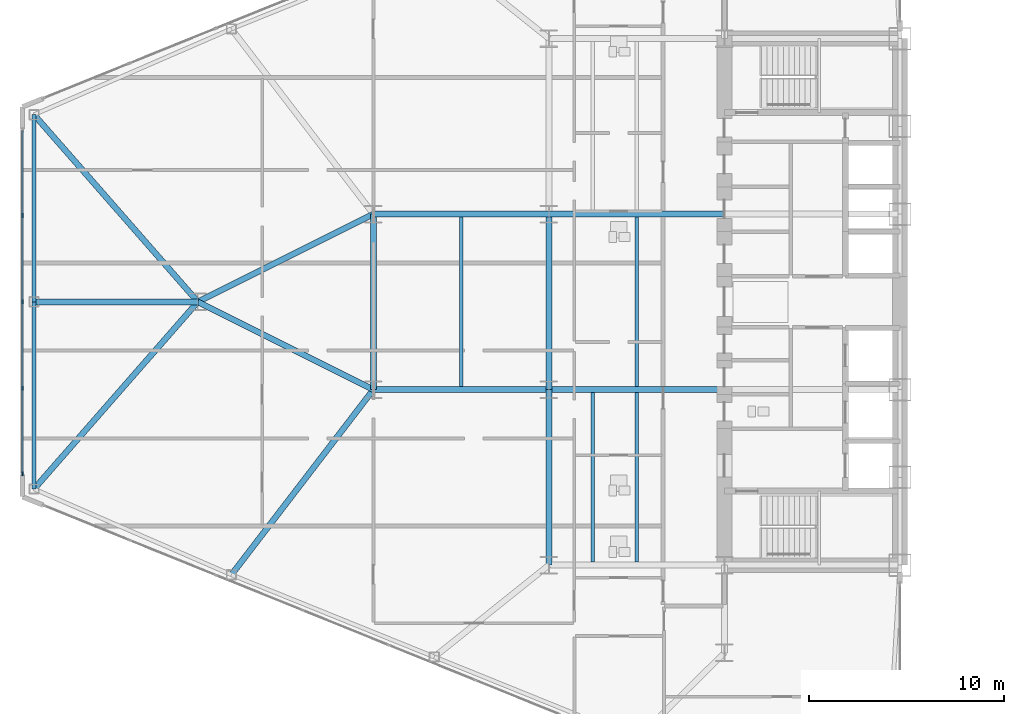
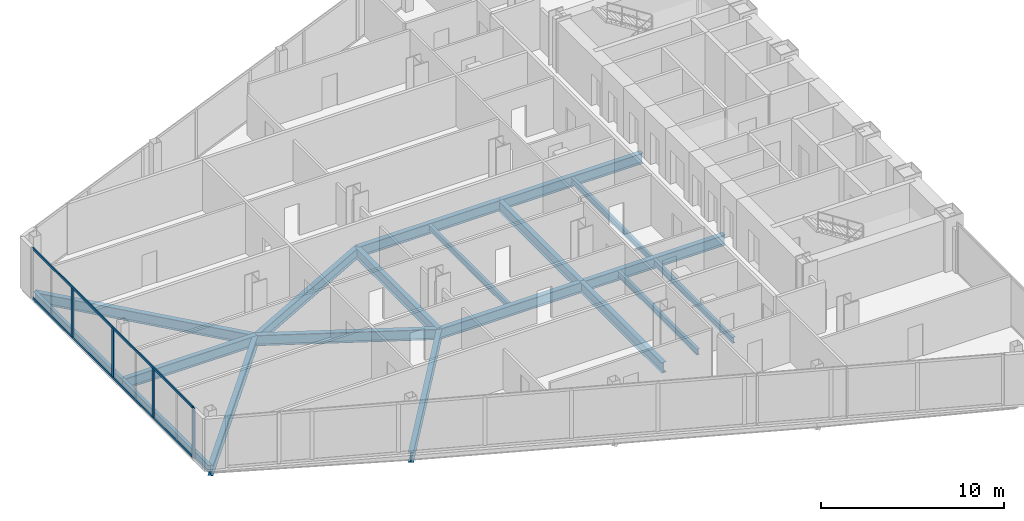
# One storey, part 4 of 25: 19 beams, 6 members, 1 element without a shape of its own.
"""IFC4 building model written with IfcOpenShell, lengths in metres."""

import ifcopenshell
import ifcopenshell.guid

model = None  # the IFC model being written
_history = None  # IfcOwnerHistory: only IFC2X3 demands one
_inside = {}  # id of a spatial element -> (the spatial element, [elements in it])
_under = {}  # id of a project, library or spatial element -> (it, [spatial elements below it])
_declared = {}  # id of a project -> (the project, [libraries it declares])
_typed = {}  # id of a type object -> (the type object, [elements of that type])
_made_of = {}  # id of a material, layer set ... -> (it, [elements and type objects made of it])


def new_model(schema):
    """Start an empty IFC model of exactly this schema.

    Asked for "IFC4X3", IfcOpenShell would pick the latest addendum, in which some entities
    have other attributes; the version numbers below select the first issue.
    IFC2X3 requires an IfcOwnerHistory on every rooted entity: one is made here for all.
    """
    global model, _history
    if schema == "IFC4X3":
        model = ifcopenshell.file(schema_version=(4, 3, 0, 0))
    else:
        model = ifcopenshell.file(schema=schema)
    _inside.clear()
    _under.clear()
    _declared.clear()
    _typed.clear()
    _made_of.clear()
    _history = None
    if model.schema == "IFC2X3":
        org = make("IfcOrganization", Name="unknown")
        user = make(
            "IfcPersonAndOrganization",
            ThePerson=make("IfcPerson", FamilyName="unknown"),
            TheOrganization=org,
        )
        app = make(
            "IfcApplication",
            ApplicationDeveloper=org,
            Version="unknown",
            ApplicationFullName="unknown",
            ApplicationIdentifier="unknown",
        )
        _history = make(
            "IfcOwnerHistory",
            OwningUser=user,
            OwningApplication=app,
            ChangeAction="ADDED",
            CreationDate=0,
        )
    return model


def make(cls, **values):
    """One entity of the class cls with the attributes given. An attribute that is None is left unset."""
    return model.create_entity(
        cls, **{name: value for name, value in values.items() if value is not None}
    )


def rooted(cls, **values):
    """An entity with a GlobalId (a new one), such as an element, a storey or a relation."""
    return make(cls, GlobalId=ifcopenshell.guid.new(), OwnerHistory=_history, **values)


def si_unit(unit_type, name, prefix=None):
    """IfcSIUnit, for example si_unit("LENGTHUNIT", "METRE", prefix="MILLI")."""
    return make("IfcSIUnit", UnitType=unit_type, Prefix=prefix, Name=name)


def assignment(units):
    """IfcUnitAssignment: the units of a project."""
    return None if units is None else make("IfcUnitAssignment", Units=units)


def point(xyz):
    """IfcCartesianPoint."""
    return None if xyz is None else make("IfcCartesianPoint", Coordinates=xyz)


def direction(xyz):
    """IfcDirection."""
    return None if xyz is None else make("IfcDirection", DirectionRatios=xyz)


def frame(location, z_axis=None, x_axis=None):
    """IfcAxis2Placement3D, a coordinate frame: its origin and axes. An axis left out is left unset."""
    return make(
        "IfcAxis2Placement3D",
        Location=point(location),
        Axis=direction(z_axis),
        RefDirection=direction(x_axis),
    )


def frame_2d(location, x_axis=None):
    """IfcAxis2Placement2D, a coordinate frame in the plane: its origin and x axis."""
    return make(
        "IfcAxis2Placement2D", Location=point(location), RefDirection=direction(x_axis)
    )


def origin():
    """The frame at (0, 0, 0) with its axes left unset."""
    return frame((0.0, 0.0, 0.0))


def origin_2d():
    """The frame at (0, 0) in the plane with its x axis left unset."""
    return frame_2d((0.0, 0.0))


def place(relative_to, where):
    """IfcLocalPlacement: puts the frame where relative to a parent placement (None: the world)."""
    return make(
        "IfcLocalPlacement", PlacementRelTo=relative_to, RelativePlacement=where
    )


def context(
    kind, dimensions, precision=None, world=None, true_north=None, identifier=None
):
    """IfcGeometricRepresentationContext, for example the 3D "Model" context."""
    return make(
        "IfcGeometricRepresentationContext",
        ContextIdentifier=identifier,
        ContextType=kind,
        CoordinateSpaceDimension=dimensions,
        Precision=precision,
        WorldCoordinateSystem=world,
        TrueNorth=true_north,
    )


def subcontext(parent, identifier, kind, view, scale=None):
    """IfcGeometricRepresentationSubContext, for example "Body" below "Model"."""
    return make(
        "IfcGeometricRepresentationSubContext",
        ContextIdentifier=identifier,
        ContextType=kind,
        ParentContext=parent,
        TargetScale=scale,
        TargetView=view,
    )


def project(units=None, contexts=None):
    """IfcProject with its units and contexts."""
    return rooted(
        "IfcProject",
        Name="project",
        RepresentationContexts=contexts,
        UnitsInContext=assignment(units),
    )


def spatial(cls, under=None, at=None, **own):
    """A site, building, storey or space (cls), placed at a placement, below another one or the project."""
    s = rooted(cls, ObjectPlacement=at, **own)
    if under is not None:
        _under.setdefault(under.id(), (under, []))[1].append(s)
    return s


def profile(cls, at=None, kind="AREA", **sizes):
    """A parametric profile (cls). Its sizes go by their IFC names, for example OverallWidth=200.0."""
    return make(cls, ProfileType=kind, Position=at, **sizes)


def rectangle(**sizes):
    """IfcRectangleProfileDef."""
    return profile("IfcRectangleProfileDef", **sizes)


def i_section(**sizes):
    """IfcIShapeProfileDef."""
    return profile("IfcIShapeProfileDef", **sizes)


def extrude(swept, where, along, depth):
    """IfcExtrudedAreaSolid: the profile swept, set in the frame where, extruded along a direction by depth."""
    return make(
        "IfcExtrudedAreaSolid",
        SweptArea=swept,
        Position=where,
        ExtrudedDirection=direction(along),
        Depth=depth,
    )


def shape(context_of_items, identifier, shape_type, items):
    """IfcShapeRepresentation: the items that make up one representation, for example the "Body"."""
    return make(
        "IfcShapeRepresentation",
        ContextOfItems=context_of_items,
        RepresentationIdentifier=identifier,
        RepresentationType=shape_type,
        Items=items,
    )


def source(mapping_origin, context_of_items, identifier, shape_type, items):
    """IfcRepresentationMap: a shape defined once, which mapped items show again and again."""
    return make(
        "IfcRepresentationMap",
        MappingOrigin=mapping_origin,
        MappedRepresentation=shape(context_of_items, identifier, shape_type, items),
    )


def transform(
    local_origin,
    x_axis=None,
    y_axis=None,
    z_axis=None,
    scale=None,
    scale2=None,
    scale3=None,
    uniform=True,
):
    """IfcCartesianTransformationOperator3D, or its non-uniform kind. x_axis, y_axis, z_axis: its Axis1, 2, 3."""
    if uniform:
        return make(
            "IfcCartesianTransformationOperator3D",
            Axis1=direction(x_axis),
            Axis2=direction(y_axis),
            LocalOrigin=point(local_origin),
            Scale=scale,
            Axis3=direction(z_axis),
        )
    return make(
        "IfcCartesianTransformationOperator3DnonUniform",
        Axis1=direction(x_axis),
        Axis2=direction(y_axis),
        LocalOrigin=point(local_origin),
        Scale=scale,
        Axis3=direction(z_axis),
        Scale2=scale2,
        Scale3=scale3,
    )


def mapped(mapping_source, mapping_target):
    """IfcMappedItem: shows the shape of a source again, moved by a transform."""
    return make(
        "IfcMappedItem", MappingSource=mapping_source, MappingTarget=mapping_target
    )


def material(Name=None, Category=None):
    """IfcMaterial."""
    return make("IfcMaterial", Name=Name, Category=Category)


def layer(
    of_material, thickness, ventilated=None, Name=None, Category=None, Priority=None
):
    """IfcMaterialLayer: one layer of a wall or slab, of a material (None: an air gap)."""
    return make(
        "IfcMaterialLayer",
        Material=of_material,
        LayerThickness=thickness,
        IsVentilated=ventilated,
        Name=Name,
        Category=Category,
        Priority=Priority,
    )


def layer_set(layers, Name=None):
    """IfcMaterialLayerSet."""
    return make("IfcMaterialLayerSet", MaterialLayers=layers, LayerSetName=Name)


def material_profile(
    of_material, cross_section, Name=None, Category=None, Priority=None
):
    """IfcMaterialProfile: a cross section and its material."""
    return make(
        "IfcMaterialProfile",
        Name=Name,
        Material=of_material,
        Profile=cross_section,
        Priority=Priority,
        Category=Category,
    )


def profile_set(profiles, Name=None, composite=None):
    """IfcMaterialProfileSet."""
    return make(
        "IfcMaterialProfileSet",
        Name=Name,
        MaterialProfiles=profiles,
        CompositeProfile=composite,
    )


def made_of(thing, what):
    """Note that an element or type object is made of a material, layer set ...; save() writes the relation."""
    if what is not None:
        _made_of.setdefault(what.id(), (what, []))[1].append(thing)
    return thing


def type_object(cls, material=None, **own):
    """A type object (cls), such as IfcWallType, which elements share."""
    return made_of(rooted(cls, **own), material)


def type_shapes(of_type, sources):
    """Give a type object the sources (RepresentationMaps) that its elements show as mapped items."""
    of_type.RepresentationMaps = sources


def element(
    cls,
    number,
    at=None,
    inside=None,
    cuts=None,
    type_object=None,
    material=None,
    context=None,
    identifier="Body",
    shape_type=None,
    held_by="IfcProductDefinitionShape",
    body=None,
    shapes=None,
    **own,
):
    """One element of the class cls, such as IfcWall. Its Tag is "e" and its number.

    at: its placement. inside: the storey or other place that contains it. cuts: it is an
    opening in that element (IfcRelVoidsElement). A single representation is given by context,
    identifier, shape_type and body (its items); several are given by shapes. held_by: the class
    of the entity that holds the representations. save() writes the other relations.
    """
    e = rooted(cls, Tag="e%d" % number, ObjectPlacement=at, **own)
    if body is not None:
        shapes = [shape(context, identifier, shape_type, body)]
    if shapes is not None:
        e.Representation = make(held_by, Representations=shapes)
    if inside is not None:
        _inside.setdefault(inside.id(), (inside, []))[1].append(e)
    if cuts is not None:
        rooted(
            "IfcRelVoidsElement", RelatingBuildingElement=cuts, RelatedOpeningElement=e
        )
    if type_object is not None:
        _typed.setdefault(type_object.id(), (type_object, []))[1].append(e)
    return made_of(e, material)


def aggregate(whole, parts):
    """IfcRelAggregates: a whole, such as a stair, and the parts it consists of."""
    return rooted("IfcRelAggregates", RelatingObject=whole, RelatedObjects=parts)


def save(model, path):
    """Write the relations noted so far, then the file.

    IfcRelAggregates (storeys below a building ...), IfcRelContainedInSpatialStructure (elements
    in a storey), IfcRelDefinesByType, IfcRelAssociatesMaterial and IfcRelDeclares: one each for
    every whole, place, type object, material and project.
    """
    for whole, parts in _under.values():
        aggregate(whole, parts)
    for where, things in _inside.values():
        rooted(
            "IfcRelContainedInSpatialStructure",
            RelatedElements=things,
            RelatingStructure=where,
        )
    for kind, things in _typed.values():
        rooted("IfcRelDefinesByType", RelatedObjects=things, RelatingType=kind)
    for what, things in _made_of.values():
        rooted("IfcRelAssociatesMaterial", RelatedObjects=things, RelatingMaterial=what)
    for by, libraries in _declared.values():
        rooted("IfcRelDeclares", RelatingContext=by, RelatedDefinitions=libraries)
    model.write(path)


model = new_model("IFC4")

# Units and contexts
model_context = context("Model", 3, precision=1e-05, world=origin(), true_north=direction((0.0, 1.0)))
body_context = subcontext(model_context, "Body", "Model", "MODEL_VIEW")
ifc_project = project(units=[si_unit("LENGTHUNIT", "METRE"), si_unit("AREAUNIT", "SQUARE_METRE"), si_unit("VOLUMEUNIT", "CUBIC_METRE"), si_unit("PLANEANGLEUNIT", "RADIAN"), si_unit("MASSUNIT", "GRAM", prefix="KILO")], contexts=[model_context])

# Site, building, storey
site_placement = place(None, origin())
site = spatial("IfcSite", under=ifc_project, at=site_placement, CompositionType="ELEMENT")
building_placement = place(site_placement, origin())
building = spatial("IfcBuilding", under=site, at=building_placement, Name="Seokmaru Belvedere", CompositionType="ELEMENT")
storey_placement = place(building_placement, frame((0.0, 0.0, 33.300048828125)))
storey = spatial("IfcBuildingStorey", under=building, at=storey_placement, Name="L08", CompositionType="ELEMENT", Elevation=33.300048828125)

# Beams
ifc_material_1 = material(Name="Steel SM355 (355 MPa)", Category="steel")
ifc_material_profile_1 = material_profile(ifc_material_1, i_section(OverallWidth=0.300048828125, OverallDepth=0.699951171875, WebThickness=0.012939453125, FlangeThickness=0.02392578125, at=origin_2d()), Name="H-700x300x13x24")
ifc_profile_set_1 = profile_set([ifc_material_profile_1], Name="Steel SM355 (355 MPa)")
beam_type_1 = type_object("IfcBeamType", Name="Primary Floor Girder H-700", PredefinedType="BEAM", material=ifc_profile_set_1)
shared_shape_1 = source(origin(), body_context, "Body", "SweptSolid", [
    extrude(i_section(OverallWidth=0.300048828125, OverallDepth=0.699951171875, WebThickness=0.012939453125, FlangeThickness=0.02392578125, at=origin_2d()), origin(), (0.0, 0.0, 1.0), 9.0),
])
for number, where, z_axis, x_axis, name in (
    (1, (-45.5, -13.5, -0.570068359375), (0.0, 1.0, 0.0), (-1.0, 0.0, 0.0), "L08 W Interior Grid Girder 1"),
    (2, (-45.5, -4.5, -0.570068359375), (0.0, 1.0, 0.0), (-1.0, 0.0, 0.0), "L08 W Interior Grid Girder 2"),
    (3, (-45.5, -4.5, -0.570068359375), (1.0, 0.0, 0.0), (0.0, 1.0, 0.0), "L08 W Wing Primary Girder 2"),
    (4, (-45.5, 4.5, -0.570068359375), (1.0, 0.0, 0.0), (0.0, 1.0, 0.0), "L08 W Wing Primary Girder 3"),
    (5, (-54.5, -4.5, -0.570068359375), (1.0, 0.0, 0.0), (0.0, 1.0, 0.0), "L08 W Outer Wing Girder 1"),
    (6, (-54.5, 4.5, -0.570068359375), (1.0, 0.0, 0.0), (0.0, 1.0, 0.0), "L08 W Outer Wing Girder 2"),
    (7, (-54.5, -4.5, -0.570068359375), (0.0, 1.0, 0.0), (-1.0, 0.0, 0.0), "L08 W Apex Frame Girder"),
):
    element("IfcBeam", number, at=place(storey_placement, frame(where, z_axis=z_axis, x_axis=x_axis)), inside=storey, type_object=beam_type_1, Name=name, PredefinedType="BEAM", context=body_context, shape_type="MappedRepresentation", body=[
        mapped(shared_shape_1, transform((0.0, 0.0, 0.0), scale=1.0)),
    ])
shared_shape_2 = source(origin(), body_context, "Body", "SweptSolid", [
    extrude(i_section(OverallWidth=0.300048828125, OverallDepth=0.699951171875, WebThickness=0.012939453125, FlangeThickness=0.02392578125, at=origin_2d()), origin(), (0.0, 0.0, 1.0), 10.062255859375),
])
for number, where, z_axis, x_axis, name in (
    (8, (-54.5, -4.5, -0.570068359375), (-0.894427191, 0.4472135955, 0.0), (-0.4472135955, -0.894427191, 0.0), "L08 W Apex Converging Girder 1"),
    (9, (-54.5, 4.5, -0.570068359375), (-0.894427191, -0.4472135955, 0.0), (0.4472135955, -0.894427191, 0.0), "L08 W Apex Converging Girder 2"),
):
    element("IfcBeam", number, at=place(storey_placement, frame(where, z_axis=z_axis, x_axis=x_axis)), inside=storey, type_object=beam_type_1, Name=name, PredefinedType="BEAM", context=body_context, shape_type="MappedRepresentation", body=[
        mapped(shared_shape_2, transform((0.0, 0.0, 0.0), scale=1.0)),
    ])
ifc_material_profile_2 = material_profile(ifc_material_1, i_section(OverallWidth=0.18505859375, OverallDepth=0.389892578125, WebThickness=0.008056640625, FlangeThickness=0.011962890625, at=origin_2d()), Name="H-390x185x8x12")
ifc_profile_set_2 = profile_set([ifc_material_profile_2], Name="Steel SM355 (355 MPa)")
beam_type_2 = type_object("IfcBeamType", Name="Secondary Floor Joist H-350", PredefinedType="JOIST", material=ifc_profile_set_2)
shared_shape_3 = source(origin(), body_context, "Body", "SweptSolid", [
    extrude(i_section(OverallWidth=0.18505859375, OverallDepth=0.389892578125, WebThickness=0.008056640625, FlangeThickness=0.011962890625, at=origin_2d()), origin(), (0.0, 0.0, 1.0), 8.68994140625),
])
type_shapes(beam_type_2, [shared_shape_3])
for number, where, z_axis, x_axis, name in (
    (10, (-43.25, -13.344970703125, -0.4150390625), (0.0, 1.0, 0.0), (-1.0, 0.0, 0.0), "L08 W Wing Inner Secondary Joist 1"),
    (11, (-41.0, -13.344970703125, -0.4150390625), (0.0, 1.0, 0.0), (-1.0, 0.0, 0.0), "L08 W Secondary Floor Joist 1"),
    (12, (-41.0, -4.344970703125, -0.4150390625), (0.0, 1.0, 0.0), (-1.0, 0.0, 0.0), "L08 W Secondary Floor Joist 2"),
    (13, (-50.0, -4.344970703125, -0.4150390625), (0.0, 1.0, 0.0), (-1.0, 0.0, 0.0), "L08 W Outer Bay Secondary Joist"),
):
    element("IfcBeam", number, at=place(storey_placement, frame(where, z_axis=z_axis, x_axis=x_axis)), inside=storey, type_object=beam_type_2, Name=name, PredefinedType="JOIST", context=body_context, shape_type="MappedRepresentation", body=[
        mapped(shared_shape_3, transform((0.0, 0.0, 0.0), scale=1.0)),
    ])
shared_shape_4 = source(origin(), body_context, "Body", "SweptSolid", [
    extrude(i_section(OverallWidth=0.300048828125, OverallDepth=0.699951171875, WebThickness=0.012939453125, FlangeThickness=0.02392578125, at=origin_2d()), origin(), (0.0, 0.0, 1.0), 12.7529296875),
])
for number, where, z_axis, x_axis, name in (
    (14, (-71.89990234375, -9.595703125, -0.570068359375), (0.658667231479, 0.752434368019, 0.0), (-0.752434368019, 0.658667231479, 0.0), "L08 W Apex Radial Floor Girder 1"),
    (15, (-71.89990234375, 9.595703125, -0.570068359375), (0.658667231479, -0.752434368019, 0.0), (0.752434368019, 0.658667231479, 0.0), "L08 W Apex Radial Floor Girder 2"),
):
    element("IfcBeam", number, at=place(storey_placement, frame(where, z_axis=z_axis, x_axis=x_axis)), inside=storey, type_object=beam_type_1, Name=name, PredefinedType="BEAM", context=body_context, shape_type="MappedRepresentation", body=[
        mapped(shared_shape_4, transform((0.0, 0.0, 0.0), scale=1.0)),
    ])
ifc_material_profile_3 = material_profile(ifc_material_1, i_section(OverallWidth=0.199951171875, OverallDepth=0.5, WebThickness=0.010009765625, FlangeThickness=0.01611328125, at=origin_2d()), Name="H-500x200x10x16")
ifc_profile_set_3 = profile_set([ifc_material_profile_3], Name="Steel SM355 (355 MPa)")
beam_type_3 = type_object("IfcBeamType", Name="Perimeter Spandrel Beam H-500", PredefinedType="SPANDREL", material=ifc_profile_set_3)
shared_shape_5 = source(origin(), body_context, "Body", "SweptSolid", [
    extrude(i_section(OverallWidth=0.199951171875, OverallDepth=0.5, WebThickness=0.010009765625, FlangeThickness=0.01611328125, at=origin_2d()), origin(), (0.0, 0.0, 1.0), 9.595703125),
])
type_shapes(beam_type_3, [shared_shape_5])
for number, where, z_axis, x_axis, name in (
    (16, (-71.89990234375, -9.595703125, -0.469970703125), (0.0, 1.0, 0.0), (-1.0, 0.0, 0.0), "L08 W Faceted Apex Spandrel S"),
    (17, (-71.89990234375, 0.0, -0.469970703125), (0.0, 1.0, 0.0), (-1.0, 0.0, 0.0), "L08 W Faceted Apex Spandrel N"),
):
    element("IfcBeam", number, at=place(storey_placement, frame(where, z_axis=z_axis, x_axis=x_axis)), inside=storey, type_object=beam_type_3, Name=name, PredefinedType="SPANDREL", context=body_context, shape_type="MappedRepresentation", body=[
        mapped(shared_shape_5, transform((0.0, 0.0, 0.0), scale=1.0)),
    ])
shared_shape_6 = source(origin(), body_context, "Body", "SweptSolid", [
    extrude(i_section(OverallWidth=0.300048828125, OverallDepth=0.699951171875, WebThickness=0.012939453125, FlangeThickness=0.02392578125, at=origin_2d()), origin(), (0.0, 0.0, 1.0), 11.96337890625),
])
beam_1_placement = place(storey_placement, frame((-61.779052734375, -13.994140625, -0.570068359375), z_axis=(0.608442682624, 0.793597821294, 0.0), x_axis=(-0.793597821294, 0.608442682624, 0.0)))
element("IfcBeam", 18, at=beam_1_placement, inside=storey, type_object=beam_type_1, Name="L08 W Flank Radial Floor Girder S-3", PredefinedType="BEAM", context=body_context, shape_type="MappedRepresentation", body=[
    mapped(shared_shape_6, transform((0.0, 0.0, 0.0), scale=1.0)),
])
shared_shape_7 = source(origin(), body_context, "Body", "SweptSolid", [
    extrude(i_section(OverallWidth=0.300048828125, OverallDepth=0.699951171875, WebThickness=0.012939453125, FlangeThickness=0.02392578125, at=origin_2d()), origin(), (0.0, 0.0, 1.0), 8.39990234375),
])
type_shapes(beam_type_1, [shared_shape_1, shared_shape_2, shared_shape_4, shared_shape_6, shared_shape_7])
beam_2_placement = place(storey_placement, frame((-71.89990234375, 0.0, -0.570068359375), z_axis=(1.0, 0.0, 0.0), x_axis=(0.0, 1.0, 0.0)))
element("IfcBeam", 19, at=beam_2_placement, inside=storey, type_object=beam_type_1, Name="L08 W Apex Center Radial Girder", PredefinedType="BEAM", context=body_context, shape_type="MappedRepresentation", body=[
    mapped(shared_shape_7, transform((0.0, 0.0, 0.0), scale=1.0)),
])

# Curtain wall, members
ifc_material_2 = material(Name="Bronze Triple Insulating Glass", Category="glass")
ifc_layer = layer(ifc_material_2, 0.2099609375)
ifc_layer_set = layer_set([ifc_layer], Name="Bronze Triple Insulating Glass")
curtain_wall_type = type_object("IfcCurtainWallType", Name="Low-Rise Faceted Crystal Curtain Wall System CW-2", PredefinedType="NOTDEFINED", material=ifc_layer_set)
curtain_wall_placement = place(storey_placement, origin())
curtain_wall = element("IfcCurtainWall", 20, at=curtain_wall_placement, inside=storey, type_object=curtain_wall_type, Name="L08 Curtain Wall WF4", PredefinedType="NOTDEFINED")
ifc_material_3 = material(Name="Anodised Bronze Aluminium", Category="aluminium")
ifc_material_profile_4 = material_profile(ifc_material_3, rectangle(XDim=0.074951171875, YDim=0.2099609375, at=origin_2d()), Name="CW-M-75x210")
ifc_profile_set_4 = profile_set([ifc_material_profile_4], Name="Anodised Bronze Aluminium")
member_type_1 = type_object("IfcMemberType", Name="Bronze Unitised Mullion 75x210", PredefinedType="MULLION", material=ifc_profile_set_4)
shared_shape_8 = source(origin(), body_context, "Body", "SweptSolid", [
    extrude(rectangle(XDim=0.074951171875, YDim=0.2099609375, at=origin_2d()), origin(), (0.0, 0.0, 1.0), 3.239990234375),
])
member_1_placement = place(storey_placement, frame((-72.5, 4.425048828125, 0.070068359375), z_axis=(0.0, 0.0, 1.0), x_axis=(1.0, 0.0, 0.0)))
member_1 = element("IfcMember", 21, at=member_1_placement, type_object=member_type_1, Name="CW:L08:WF4 Mullion 2", PredefinedType="MULLION", context=body_context, shape_type="MappedRepresentation", body=[
    mapped(shared_shape_8, transform((0.0, 0.0, 0.0), scale=1.0)),
])
member_2_placement = place(storey_placement, frame((-72.5, 0.0, 0.070068359375), z_axis=(0.0, 0.0, 1.0), x_axis=(1.0, 0.0, 0.0)))
member_2 = element("IfcMember", 22, at=member_2_placement, type_object=member_type_1, Name="CW:L08:WF4 Mullion 3", PredefinedType="MULLION", context=body_context, shape_type="MappedRepresentation", body=[
    mapped(shared_shape_8, transform((0.0, 0.0, 0.0), scale=1.0)),
])
member_3_placement = place(storey_placement, frame((-72.5, -4.425048828125, 0.070068359375), z_axis=(0.0, 0.0, 1.0), x_axis=(1.0, 0.0, 0.0)))
member_3 = element("IfcMember", 23, at=member_3_placement, type_object=member_type_1, Name="CW:L08:WF4 Mullion 4", PredefinedType="MULLION", context=body_context, shape_type="MappedRepresentation", body=[
    mapped(shared_shape_8, transform((0.0, 0.0, 0.0), scale=1.0)),
])
ifc_material_profile_5 = material_profile(ifc_material_3, rectangle(XDim=0.070068359375, YDim=0.1650390625, at=origin_2d()), Name="CW-T-70x165")
ifc_profile_set_5 = profile_set([ifc_material_profile_5], Name="Anodised Bronze Aluminium")
member_type_2 = type_object("IfcMemberType", Name="Bronze Unitised Transom 70x165", PredefinedType="USERDEFINED", material=ifc_profile_set_5)
shared_shape_9 = source(origin(), body_context, "Body", "SweptSolid", [
    extrude(rectangle(XDim=0.070068359375, YDim=0.1650390625, at=origin_2d()), origin(), (0.0, 0.0, 1.0), 17.5498046875),
])
type_shapes(member_type_2, [shared_shape_9])
member_4_placement = place(storey_placement, frame((-72.5, 8.77490234375, 0.034912109375), z_axis=(0.0, -1.0, 0.0), x_axis=(1.0, 0.0, 0.0)))
member_4 = element("IfcMember", 24, at=member_4_placement, type_object=member_type_2, Name="CW:L08:WF4 Continuous Transom 1", ObjectType="TRANSOM", PredefinedType="USERDEFINED", context=body_context, shape_type="MappedRepresentation", body=[
    mapped(shared_shape_9, transform((0.0, 0.0, 0.0), scale=1.0)),
])
member_5_placement = place(storey_placement, frame((-72.5, 8.77490234375, 3.344970703125), z_axis=(0.0, -1.0, 0.0), x_axis=(1.0, 0.0, 0.0)))
member_5 = element("IfcMember", 25, at=member_5_placement, type_object=member_type_2, Name="CW:L08:WF4 Continuous Transom 2", ObjectType="TRANSOM", PredefinedType="USERDEFINED", context=body_context, shape_type="MappedRepresentation", body=[
    mapped(shared_shape_9, transform((0.0, 0.0, 0.0), scale=1.0)),
])
shared_shape_10 = source(origin(), body_context, "Body", "SweptSolid", [
    extrude(rectangle(XDim=0.074951171875, YDim=0.2099609375, at=origin_2d()), origin(), (0.0, 0.0, 1.0), 3.3798828125),
])
type_shapes(member_type_1, [shared_shape_8, shared_shape_10])
member_6_placement = place(storey_placement, frame((-72.5, -8.8125, 0.0), z_axis=(0.0, 0.0, 1.0), x_axis=(1.0, 0.0, 0.0)))
member_6 = element("IfcMember", 26, at=member_6_placement, type_object=member_type_1, Name="CW:L08:WF4 Mullion 5", PredefinedType="MULLION", context=body_context, shape_type="MappedRepresentation", body=[
    mapped(shared_shape_10, transform((0.0, 0.0, 0.0), scale=1.0)),
])
aggregate(curtain_wall, [member_1, member_2, member_3, member_6, member_4, member_5])

save(model, "model.ifc")
